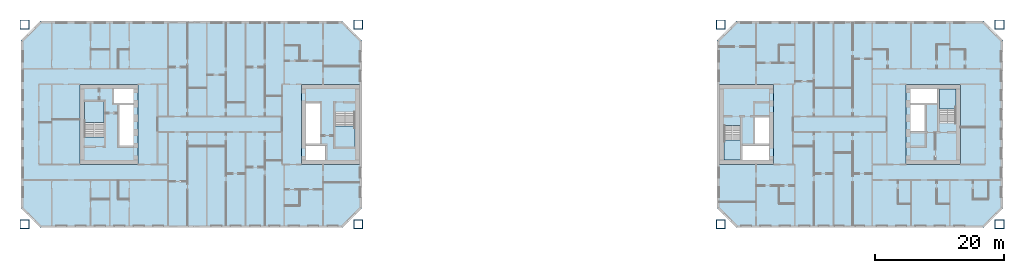
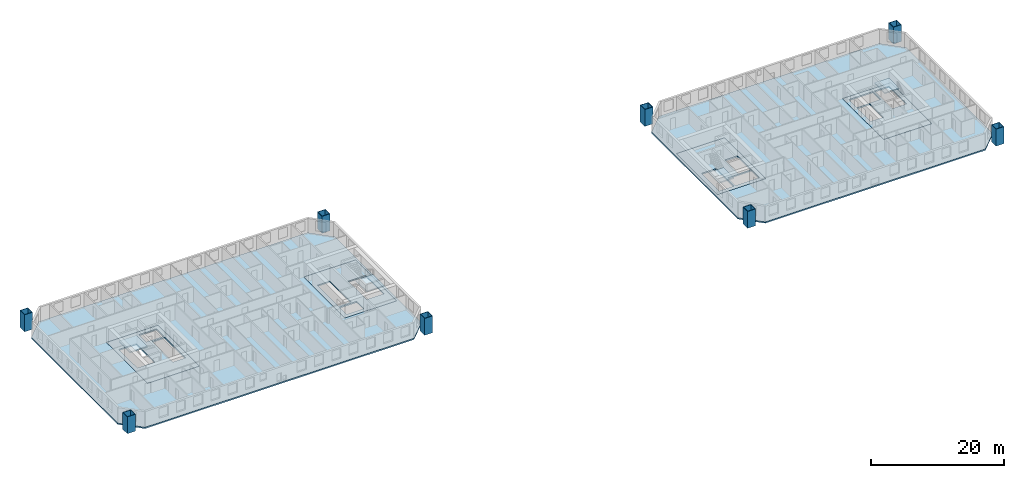
# One storey, part 1 of 16: 10 slabs, 8 columns, 4 elements without a shape of their own.
"""IFC4 building model written with IfcOpenShell, lengths in metres."""

from ifc_helpers import new_model, si_unit, direction, frame, origin, origin_2d, place, context, subcontext, project, spatial, polyline, hollow_rectangle, outline, extrude, material, layer, layer_set, material_profile, profile_set, type_object, element, aggregate, save


model = new_model("IFC4")

# Units and contexts
model_context = context("Model", 3, precision=1e-05, world=origin(), true_north=direction((0.0, 1.0)))
body_context = subcontext(model_context, "Body", "Model", "MODEL_VIEW")
ifc_project = project(units=[si_unit("LENGTHUNIT", "METRE"), si_unit("AREAUNIT", "SQUARE_METRE"), si_unit("VOLUMEUNIT", "CUBIC_METRE"), si_unit("PLANEANGLEUNIT", "RADIAN"), si_unit("MASSUNIT", "GRAM", prefix="KILO")], contexts=[model_context])

# Site, building, storey
site_placement = place(None, origin())
site = spatial("IfcSite", under=ifc_project, at=site_placement, CompositionType="ELEMENT")
building_placement = place(site_placement, origin())
building = spatial("IfcBuilding", under=site, at=building_placement, Name="Tuart Gate Housing", CompositionType="ELEMENT")
storey_placement = place(building_placement, frame((0.0, 0.0, 87.10009765625)))
storey = spatial("IfcBuildingStorey", under=building, at=storey_placement, Name="L24", CompositionType="ELEMENT", Elevation=87.10009765625)

# Columns
ifc_material_1 = material(Name="Steel Grade 350", Category="steel")
ifc_material_profile = material_profile(ifc_material_1, hollow_rectangle(XDim=1.39990234375, YDim=1.39990234375, WallThickness=0.074951171875, at=origin_2d()), Name="BOX 1400x1400x75")
ifc_profile_set = profile_set([ifc_material_profile], Name="Steel Grade 350")
column_type = type_object("IfcColumnType", Name="Mega column BOX 1400x1400x75", PredefinedType="COLUMN", material=ifc_profile_set)
for number, where, z_axis, x_axis, name in (
    (1, (23.800048828125, 54.550048828125, 0.0), (0.0, 0.0, 1.0), (1.0, 0.0, 0.0), "Mega column A south-west L24"),
    (2, (75.449951171875, 54.550048828125, 0.0), (0.0, 0.0, 1.0), (1.0, 0.0, 0.0), "Mega column A south-east L24"),
    (3, (75.449951171875, 85.449951171875, 0.0), (0.0, 0.0, 1.0), (1.0, 0.0, 0.0), "Mega column A north-east L24"),
    (4, (23.800048828125, 85.449951171875, 0.0), (0.0, 0.0, 1.0), (1.0, 0.0, 0.0), "Mega column A north-west L24"),
    (5, (131.550048828125, 54.550048828125, 0.0), (0.0, 0.0, 1.0), (1.0, 0.0, 0.0), "Mega column B south-west L24"),
    (6, (174.699951171875, 54.550048828125, 0.0), (0.0, 0.0, 1.0), (1.0, 0.0, 0.0), "Mega column B south-east L24"),
    (7, (174.699951171875, 85.449951171875, 0.0), (0.0, 0.0, 1.0), (1.0, 0.0, 0.0), "Mega column B north-east L24"),
    (8, (131.550048828125, 85.449951171875, 0.0), (0.0, 0.0, 1.0), (1.0, 0.0, 0.0), "Mega column B north-west L24"),
):
    element("IfcColumn", number, at=place(storey_placement, frame(where, z_axis=z_axis, x_axis=x_axis)), inside=storey, type_object=column_type, Name=name, PredefinedType="COLUMN", context=body_context, shape_type="SweptSolid", body=[
        extrude(hollow_rectangle(XDim=1.39990234375, YDim=1.39990234375, WallThickness=0.074951171875, at=origin_2d()), origin(), (0.0, 0.0, 1.0), 3.099853515625),
    ])

# Slabs
ifc_material_2 = material(Name="Concrete C40", Category="concrete")
ifc_layer_1 = layer(ifc_material_2, 0.25)
ifc_layer_set_1 = layer_set([ifc_layer_1], Name="Core floor slab 250")
slab_type_1 = type_object("IfcSlabType", Name="Core floor slab 250", PredefinedType="FLOOR", material=ifc_layer_set_1)
slab_1_placement = place(storey_placement, frame((0.0, 0.0, -0.25)))
element("IfcSlab", 9, at=slab_1_placement, inside=storey, type_object=slab_type_1, Name="Core floor AG", PredefinedType="FLOOR", context=body_context, shape_type="SweptSolid", body=[
    extrude(outline(polyline([(66.639892578125, 63.800048828125), (75.639892578125, 63.800048828125), (75.639892578125, 76.199951171875), (66.639892578125, 76.199951171875), (66.639892578125, 63.800048828125)]), holes=[polyline([(67.340087890625, 64.5), (70.360107421875, 64.5), (70.360107421875, 66.699951171875), (67.340087890625, 66.699951171875), (67.340087890625, 64.5)]), polyline([(67.340087890625, 67.0), (69.5400390625, 67.0), (69.5400390625, 73.300048828125), (67.340087890625, 73.300048828125), (67.340087890625, 67.0)]), polyline([(71.889892578125, 66.35009765625), (74.93994140625, 66.35009765625), (74.93994140625, 71.929931640625), (71.889892578125, 71.929931640625), (71.889892578125, 66.35009765625)])]), origin(), (0.0, 0.0, 1.0), 0.25),
])
slab_2_placement = place(storey_placement, frame((0.0, 0.0, -0.25)))
element("IfcSlab", 10, at=slab_2_placement, inside=storey, type_object=slab_type_1, Name="Core floor AK", PredefinedType="FLOOR", context=body_context, shape_type="SweptSolid", body=[
    extrude(outline(polyline([(32.360107421875, 63.800048828125), (41.360107421875, 63.800048828125), (41.360107421875, 76.199951171875), (32.360107421875, 76.199951171875), (32.360107421875, 63.800048828125)]), holes=[polyline([(40.659912109375, 75.5), (37.639892578125, 75.5), (37.639892578125, 73.300048828125), (40.659912109375, 73.300048828125), (40.659912109375, 75.5)]), polyline([(40.659912109375, 73.0), (38.4599609375, 73.0), (38.4599609375, 66.699951171875), (40.659912109375, 66.699951171875), (40.659912109375, 73.0)]), polyline([(36.110107421875, 73.64990234375), (33.06005859375, 73.64990234375), (33.06005859375, 68.070068359375), (36.110107421875, 68.070068359375), (36.110107421875, 73.64990234375)])]), origin(), (0.0, 0.0, 1.0), 0.25),
])
slab_3_placement = place(storey_placement, frame((0.0, 0.0, -0.25)))
element("IfcSlab", 11, at=slab_3_placement, inside=storey, type_object=slab_type_1, Name="Core floor BG", PredefinedType="FLOOR", context=body_context, shape_type="SweptSolid", body=[
    extrude(outline(polyline([(131.360107421875, 63.800048828125), (139.760009765625, 63.800048828125), (139.760009765625, 76.199951171875), (131.360107421875, 76.199951171875), (131.360107421875, 63.800048828125)]), holes=[polyline([(139.06005859375, 66.85009765625), (134.909912109375, 66.85009765625), (134.909912109375, 64.5), (139.06005859375, 64.5), (139.06005859375, 66.85009765625)]), polyline([(139.06005859375, 71.10009765625), (136.860107421875, 71.10009765625), (136.860107421875, 67.0), (139.06005859375, 67.0), (139.06005859375, 71.10009765625)]), polyline([(134.610107421875, 69.830078125), (132.06005859375, 69.830078125), (132.06005859375, 64.5), (134.610107421875, 64.5), (134.610107421875, 69.830078125)])]), origin(), (0.0, 0.0, 1.0), 0.25),
])
slab_4_placement = place(storey_placement, frame((0.0, 0.0, -0.25)))
element("IfcSlab", 12, at=slab_4_placement, inside=storey, type_object=slab_type_1, Name="Core floor BK", PredefinedType="FLOOR", context=body_context, shape_type="SweptSolid", body=[
    extrude(outline(polyline([(160.239990234375, 63.800048828125), (168.639892578125, 63.800048828125), (168.639892578125, 76.199951171875), (160.239990234375, 76.199951171875), (160.239990234375, 63.800048828125)]), holes=[polyline([(160.93994140625, 73.14990234375), (165.090087890625, 73.14990234375), (165.090087890625, 75.5), (160.93994140625, 75.5), (160.93994140625, 73.14990234375)]), polyline([(160.93994140625, 68.89990234375), (163.139892578125, 68.89990234375), (163.139892578125, 73.0), (160.93994140625, 73.0), (160.93994140625, 68.89990234375)]), polyline([(165.389892578125, 70.169921875), (167.93994140625, 70.169921875), (167.93994140625, 75.5), (165.389892578125, 75.5), (165.389892578125, 70.169921875)])]), origin(), (0.0, 0.0, 1.0), 0.25),
])
ifc_material_3 = material(Name="Concrete C40", Category="concrete")
ifc_layer_2 = layer(ifc_material_3, 0.25)
ifc_layer_set_2 = layer_set([ifc_layer_2], Name="Flat plate 250")
slab_type_2 = type_object("IfcSlabType", Name="Flat plate 250", PredefinedType="FLOOR", material=ifc_layer_set_2)
slab_5_placement = place(storey_placement, frame((0.0, 0.0, -0.25)))
element("IfcSlab", 13, at=slab_5_placement, inside=storey, type_object=slab_type_2, Name="Floor slab A L24", PredefinedType="FLOOR", context=body_context, shape_type="SweptSolid", body=[
    extrude(outline(polyline([(26.25, 86.0), (23.25, 83.0), (23.25, 57.0), (26.25, 54.0), (73.0, 54.0), (76.0, 57.0), (76.0, 83.0), (73.0, 86.0), (26.25, 86.0)]), holes=[polyline([(66.639892578125, 76.199951171875), (75.639892578125, 76.199951171875), (75.639892578125, 63.800048828125), (66.639892578125, 63.800048828125), (66.639892578125, 76.199951171875)]), polyline([(41.360107421875, 76.199951171875), (41.360107421875, 63.800048828125), (32.360107421875, 63.800048828125), (32.360107421875, 76.199951171875), (41.360107421875, 76.199951171875)])]), origin(), (0.0, 0.0, 1.0), 0.25),
])
slab_6_placement = place(storey_placement, frame((0.0, 0.0, -0.25)))
element("IfcSlab", 14, at=slab_6_placement, inside=storey, type_object=slab_type_2, Name="Floor slab B L24", PredefinedType="FLOOR", context=body_context, shape_type="SweptSolid", body=[
    extrude(outline(polyline([(134.0, 86.0), (131.0, 83.0), (131.0, 57.0), (134.0, 54.0), (172.25, 54.0), (175.25, 57.0), (175.25, 83.0), (172.25, 86.0), (134.0, 86.0)]), holes=[polyline([(131.360107421875, 76.199951171875), (139.760009765625, 76.199951171875), (139.760009765625, 63.800048828125), (131.360107421875, 63.800048828125), (131.360107421875, 76.199951171875)]), polyline([(168.639892578125, 76.199951171875), (168.639892578125, 63.800048828125), (160.239990234375, 63.800048828125), (160.239990234375, 76.199951171875), (168.639892578125, 76.199951171875)])]), origin(), (0.0, 0.0, 1.0), 0.25),
])

# Stair, slab
ifc_material_4 = material(Name="Concrete C40", Category="concrete")
stair_type_1 = type_object("IfcStairType", Name="Core stair 1500", PredefinedType="HALF_TURN_STAIR", material=ifc_material_4)
stair_1_placement = place(storey_placement, origin())
stair_1 = element("IfcStair", 15, at=stair_1_placement, inside=storey, type_object=stair_type_1, Name="Stair SA1", PredefinedType="HALF_TURN_STAIR")
ifc_material_5 = material(Name="Concrete C40", Category="concrete")
ifc_layer_3 = layer(ifc_material_5, 0.199951171875)
ifc_layer_set_3 = layer_set([ifc_layer_3], Name="Stair landing 200")
slab_type_3 = type_object("IfcSlabType", Name="Stair landing 200", PredefinedType="LANDING", material=ifc_layer_set_3)
slab_7_placement = place(storey_placement, frame((0.0, 0.0, 1.349853515625)))
slab_7 = element("IfcSlab", 16, at=slab_7_placement, type_object=slab_type_3, Name="SA1 landing 1", PredefinedType="LANDING", context=body_context, shape_type="SweptSolid", body=[
    extrude(outline(polyline([(71.889892578125, 66.35009765625), (74.93994140625, 66.35009765625), (74.93994140625, 69.7099609375), (71.889892578125, 69.7099609375), (71.889892578125, 66.35009765625)])), origin(), (0.0, 0.0, 1.0), 0.199951171875),
])
aggregate(stair_1, [slab_7])

stair_2_placement = place(storey_placement, origin())
stair_2 = element("IfcStair", 17, at=stair_2_placement, inside=storey, type_object=stair_type_1, Name="Stair SA2", PredefinedType="HALF_TURN_STAIR")
slab_8_placement = place(storey_placement, frame((0.0, 0.0, 1.349853515625)))
slab_8 = element("IfcSlab", 18, at=slab_8_placement, type_object=slab_type_3, Name="SA2 landing 1", PredefinedType="LANDING", context=body_context, shape_type="SweptSolid", body=[
    extrude(outline(polyline([(36.110107421875, 73.64990234375), (33.06005859375, 73.64990234375), (33.06005859375, 70.2900390625), (36.110107421875, 70.2900390625), (36.110107421875, 73.64990234375)])), origin(), (0.0, 0.0, 1.0), 0.199951171875),
])
aggregate(stair_2, [slab_8])

ifc_material_6 = material(Name="Concrete C40", Category="concrete")
stair_type_2 = type_object("IfcStairType", Name="Core stair 1250", PredefinedType="HALF_TURN_STAIR", material=ifc_material_6)
stair_3_placement = place(storey_placement, origin())
stair_3 = element("IfcStair", 19, at=stair_3_placement, inside=storey, type_object=stair_type_2, Name="Stair SB1", PredefinedType="HALF_TURN_STAIR")
slab_9_placement = place(storey_placement, frame((0.0, 0.0, 1.349853515625)))
slab_9 = element("IfcSlab", 20, at=slab_9_placement, type_object=slab_type_3, Name="SB1 landing 1", PredefinedType="LANDING", context=body_context, shape_type="SweptSolid", body=[
    extrude(outline(polyline([(134.610107421875, 67.610107421875), (132.06005859375, 67.610107421875), (132.06005859375, 64.5), (134.610107421875, 64.5), (134.610107421875, 67.610107421875)])), origin(), (0.0, 0.0, 1.0), 0.199951171875),
])
aggregate(stair_3, [slab_9])

stair_4_placement = place(storey_placement, origin())
stair_4 = element("IfcStair", 21, at=stair_4_placement, inside=storey, type_object=stair_type_2, Name="Stair SB2", PredefinedType="HALF_TURN_STAIR")
slab_10_placement = place(storey_placement, frame((0.0, 0.0, 1.349853515625)))
slab_10 = element("IfcSlab", 22, at=slab_10_placement, type_object=slab_type_3, Name="SB2 landing 1", PredefinedType="LANDING", context=body_context, shape_type="SweptSolid", body=[
    extrude(outline(polyline([(165.389892578125, 72.389892578125), (167.93994140625, 72.389892578125), (167.93994140625, 75.5), (165.389892578125, 75.5), (165.389892578125, 72.389892578125)])), origin(), (0.0, 0.0, 1.0), 0.199951171875),
])
aggregate(stair_4, [slab_10])

save(model, "model.ifc")
